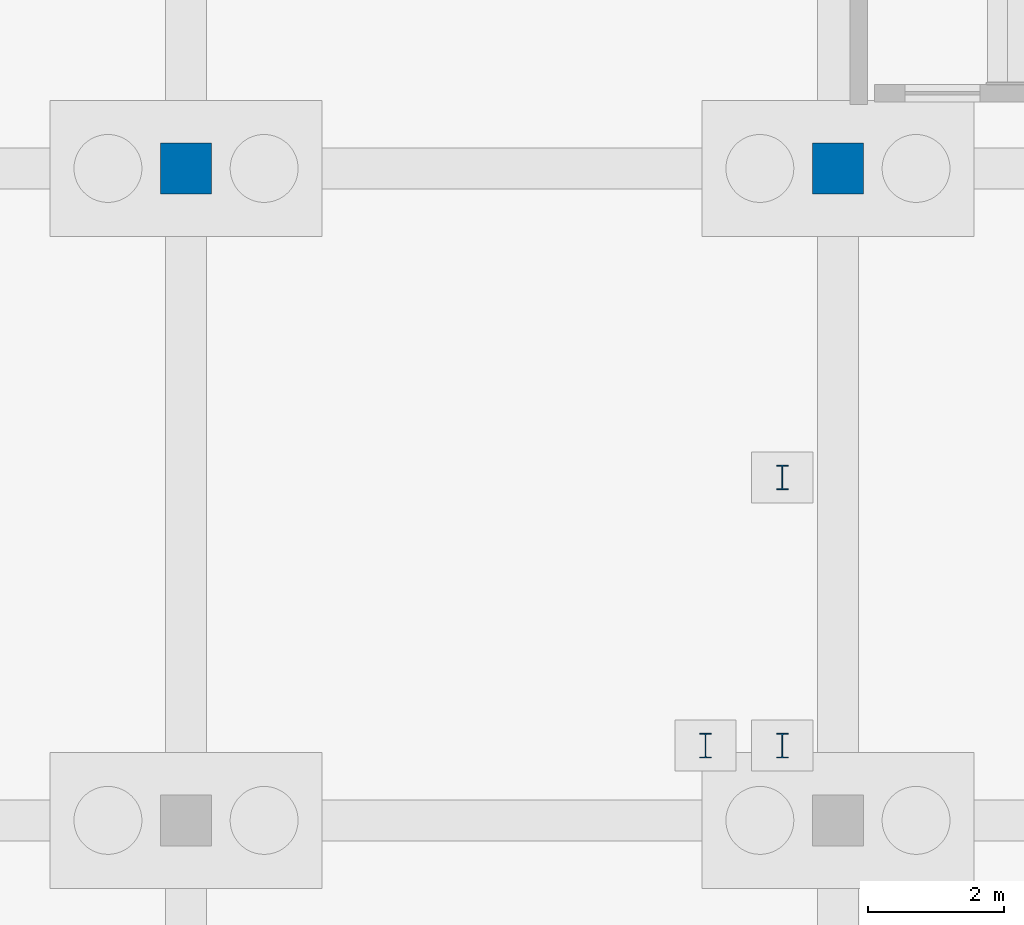
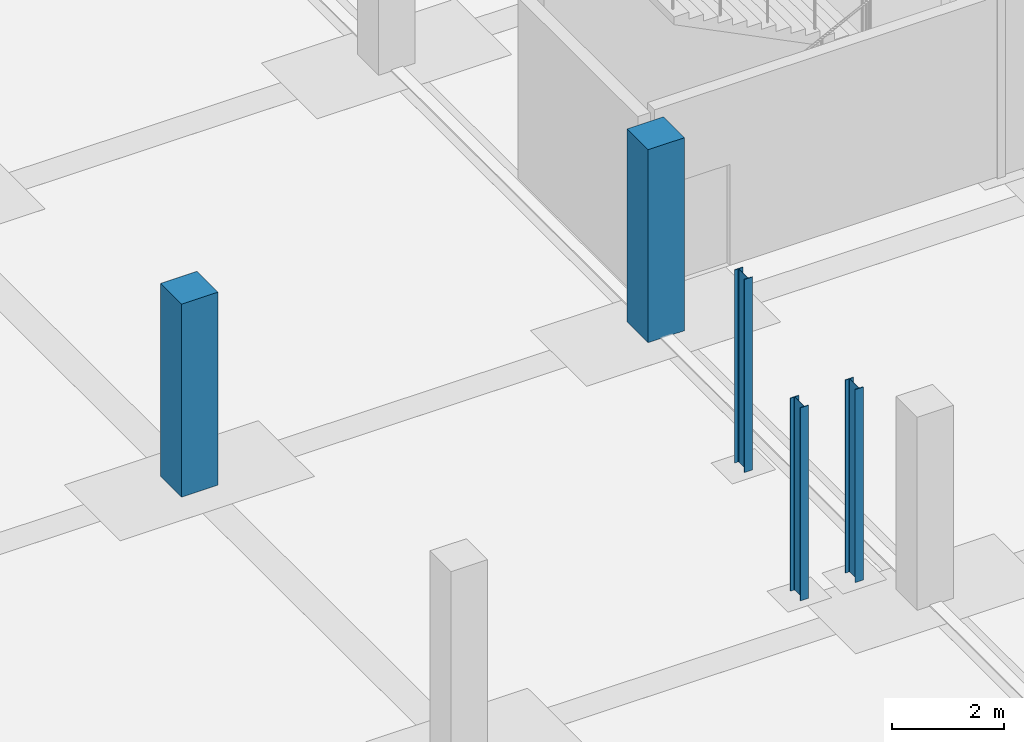
# One storey, part 23 of 54: 5 columns.
"""IFC4 building model written with IfcOpenShell, lengths in metres."""

from ifc_helpers import new_model, si_unit, direction, frame, origin, origin_2d, place, context, subcontext, project, spatial, rectangle, i_section, extrude, material, material_profile, profile_set, type_object, element, save


model = new_model("IFC4")

# Units and contexts
model_context = context("Model", 3, precision=1e-05, world=origin(), true_north=direction((0.0, 1.0)))
body_context = subcontext(model_context, "Body", "Model", "MODEL_VIEW")
ifc_project = project(units=[si_unit("LENGTHUNIT", "METRE"), si_unit("AREAUNIT", "SQUARE_METRE"), si_unit("VOLUMEUNIT", "CUBIC_METRE"), si_unit("PLANEANGLEUNIT", "RADIAN"), si_unit("MASSUNIT", "GRAM", prefix="KILO")], contexts=[model_context])

# Site, building, storey
site_placement = place(None, origin())
site = spatial("IfcSite", under=ifc_project, at=site_placement, CompositionType="ELEMENT")
building_placement = place(site_placement, origin())
building = spatial("IfcBuilding", under=site, at=building_placement, Name="Zevrakil Square Congress Hotel", CompositionType="ELEMENT")
storey_placement = place(building_placement, frame((0.0, 0.0, -8.39990234375)))
storey = spatial("IfcBuildingStorey", under=building, at=storey_placement, Name="B2", CompositionType="ELEMENT", Elevation=-8.39990234375)

# Columns
ifc_material_1 = material(Name="Steel S355", Category="steel")
ifc_material_profile_1 = material_profile(ifc_material_1, i_section(OverallWidth=0.169921875, OverallDepth=0.360107421875, WebThickness=0.008056640625, FlangeThickness=0.0126953125, FilletRadius=0.01806640625, at=origin_2d()), Name="IPE 360")
ifc_profile_set_1 = profile_set([ifc_material_profile_1], Name="Steel S355")
column_type_1 = type_object("IfcColumnType", Name="COL-PILASTER-SHS180", PredefinedType="PILASTER", material=ifc_profile_set_1)
for number, where, z_axis, x_axis, name in (
    (1, (53.25, 75.5, 0.0), (0.0, 0.0, 1.0), (1.0, 0.0, 0.0), "B2 ST14 stair shaft post 1"),
    (2, (54.3798828125, 75.5, 0.0), (0.0, 0.0, 1.0), (1.0, 0.0, 0.0), "B2 ST14 stair shaft post 2"),
    (3, (54.3798828125, 79.449951171875, 0.0), (0.0, 0.0, 1.0), (1.0, 0.0, 0.0), "B2 ST14 stair shaft post 3"),
):
    element("IfcColumn", number, at=place(storey_placement, frame(where, z_axis=z_axis, x_axis=x_axis)), inside=storey, type_object=column_type_1, Name=name, PredefinedType="PILASTER", context=body_context, shape_type="SweptSolid", body=[
        extrude(i_section(OverallWidth=0.169921875, OverallDepth=0.360107421875, WebThickness=0.008056640625, FlangeThickness=0.0126953125, FilletRadius=0.01806640625, at=origin_2d()), origin(), (0.0, 0.0, 1.0), 4.199951171875),
    ])
ifc_material_2 = material(Name="Concrete C40/50", Category="concrete")
ifc_material_profile_2 = material_profile(ifc_material_2, rectangle(XDim=0.75, YDim=0.75, at=origin_2d()), Name="RC 750x750")
ifc_profile_set_2 = profile_set([ifc_material_profile_2], Name="Concrete C40/50")
column_type_2 = type_object("IfcColumnType", Name="COL-RC750", PredefinedType="COLUMN", material=ifc_profile_set_2)
for number, where, z_axis, x_axis, name in (
    (4, (45.60009765625, 84.0, 0.0), (0.0, 0.0, 1.0), (1.0, 0.0, 0.0), "B2 column C-076"),
    (5, (55.199951171875, 84.0, 0.0), (0.0, 0.0, 1.0), (1.0, 0.0, 0.0), "B2 column C-094"),
):
    element("IfcColumn", number, at=place(storey_placement, frame(where, z_axis=z_axis, x_axis=x_axis)), inside=storey, type_object=column_type_2, Name=name, PredefinedType="COLUMN", context=body_context, shape_type="SweptSolid", body=[
        extrude(rectangle(XDim=0.75, YDim=0.75, at=origin_2d()), origin(), (0.0, 0.0, 1.0), 4.199951171875),
    ])

save(model, "model.ifc")
